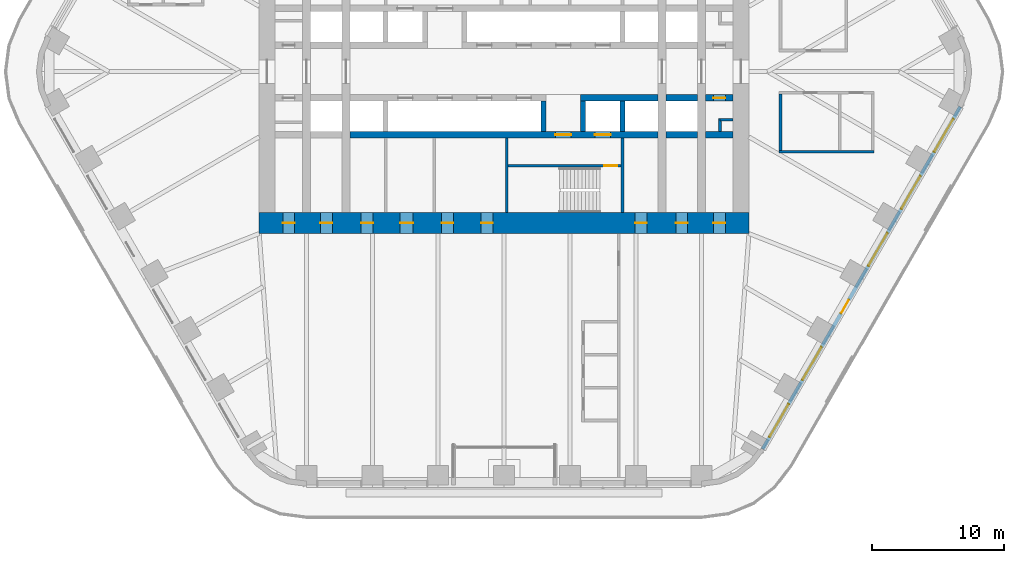
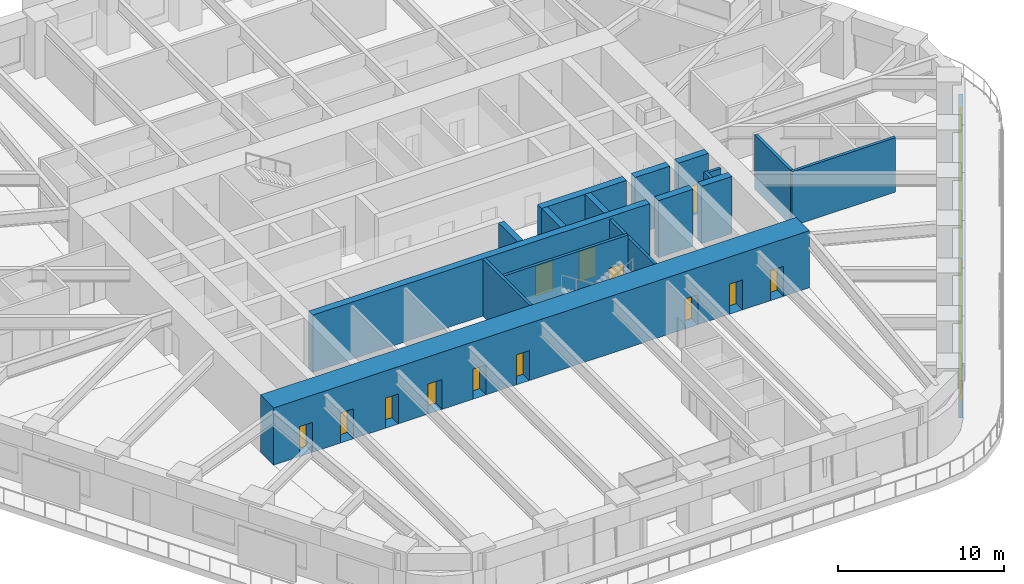
# One storey, part 18 of 24: 18 walls, 14 doors, 5 windows, 19 openings.
"""IFC4 building model written with IfcOpenShell, lengths in metres."""

from ifc_helpers import new_model, si_unit, direction, frame, frame_2d, origin, place, context, subcontext, project, spatial, rectangle, extrude, material, layer, layer_set, type_object, element, fill, save


model = new_model("IFC4")

# Units and contexts
model_context = context("Model", 3, precision=1e-05, world=origin(), true_north=direction((0.0, 1.0)))
body_context = subcontext(model_context, "Body", "Model", "MODEL_VIEW")
ifc_project = project(units=[si_unit("LENGTHUNIT", "METRE"), si_unit("AREAUNIT", "SQUARE_METRE"), si_unit("VOLUMEUNIT", "CUBIC_METRE"), si_unit("PLANEANGLEUNIT", "RADIAN"), si_unit("MASSUNIT", "GRAM", prefix="KILO")], contexts=[model_context])

# Site, building, storey
site_placement = place(None, origin())
site = spatial("IfcSite", under=ifc_project, at=site_placement, CompositionType="ELEMENT")
building_placement = place(site_placement, origin())
building = spatial("IfcBuilding", under=site, at=building_placement, Name="Tarfa Lantern Tower", CompositionType="ELEMENT")
storey_placement = place(building_placement, frame((0.0, 0.0, 144.699951171875)))
storey = spatial("IfcBuildingStorey", under=building, at=storey_placement, Name="L32", CompositionType="ELEMENT", Elevation=144.699951171875)

# Wall, openings, door, windows
ifc_material_1 = material(Name="Limestone cladding on blockwork", Category="masonry")
ifc_layer_1 = layer(ifc_material_1, 0.300048828125)
ifc_layer_set_1 = layer_set([ifc_layer_1], Name="EW1 STONE-CLAD WALL 300")
wall_type_1 = type_object("IfcWallType", Name="EW1 STONE-CLAD WALL 300", PredefinedType="SOLIDWALL", material=ifc_layer_set_1)
wall_1_placement = place(storey_placement, frame((19.644287109375, -28.675048828125, 0.0), z_axis=(0.0, 0.0, 1.0), x_axis=(0.500003084452, 0.866023622968, 0.0)))
wall_1 = element("IfcWall", 1, at=wall_1_placement, inside=storey, type_object=wall_type_1, Name="Stone wall SE", PredefinedType="SOLIDWALL", context=body_context, shape_type="SweptSolid", body=[
    extrude(rectangle(XDim=30.022216796875, YDim=0.300048828125, at=frame_2d((15.01123046875, 0.0))), origin(), (0.0, 0.0, 1.0), 2.75),
])
opening_1_placement = place(wall_1_placement, frame((1.0517578125, 0.0, 0.60009765625)))
opening_1 = element("IfcOpeningElement", 2, at=opening_1_placement, cuts=wall_1, Name="Opening W9", PredefinedType="OPENING", context=body_context, shape_type="SweptSolid", body=[
    extrude(rectangle(XDim=2.89990234375, YDim=1.89990234375, at=frame_2d((1.449951171875, 0.949951171875))), frame((0.0, 0.159912109375, 0.0), z_axis=(0.0, -1.0, 0.0), x_axis=(1.0, 0.0, 0.0)), (0.0, 0.0, 1.0), 0.320068359375),
])
opening_2_placement = place(wall_1_placement, frame((6.0556640625, 0.0, 0.60009765625)))
opening_2 = element("IfcOpeningElement", 3, at=opening_2_placement, cuts=wall_1, Name="Opening W9", PredefinedType="OPENING", context=body_context, shape_type="SweptSolid", body=[
    extrude(rectangle(XDim=2.89990234375, YDim=1.89990234375, at=frame_2d((1.449951171875, 0.949951171875))), frame((0.0, 0.159912109375, 0.0), z_axis=(0.0, -1.0, 0.0), x_axis=(1.0, 0.0, 0.0)), (0.0, 0.0, 1.0), 0.320068359375),
])
opening_3_placement = place(wall_1_placement, frame((11.9091796875, 0.0, 0.0)))
opening_3 = element("IfcOpeningElement", 4, at=opening_3_placement, cuts=wall_1, Name="Opening D50", PredefinedType="OPENING", context=body_context, shape_type="SweptSolid", body=[
    extrude(rectangle(XDim=1.199951171875, YDim=2.39990234375, at=frame_2d((0.60009765625, 1.199951171875))), frame((0.0, 0.159912109375, 0.0), z_axis=(0.0, -1.0, 0.0), x_axis=(1.0, 0.0, 0.0)), (0.0, 0.0, 1.0), 0.320068359375),
])
opening_4_placement = place(wall_1_placement, frame((16.06298828125, 0.0, 0.60009765625)))
opening_4 = element("IfcOpeningElement", 5, at=opening_4_placement, cuts=wall_1, Name="Opening W9", PredefinedType="OPENING", context=body_context, shape_type="SweptSolid", body=[
    extrude(rectangle(XDim=2.89990234375, YDim=1.89990234375, at=frame_2d((1.449951171875, 0.949951171875))), frame((0.0, 0.159912109375, 0.0), z_axis=(0.0, -1.0, 0.0), x_axis=(1.0, 0.0, 0.0)), (0.0, 0.0, 1.0), 0.320068359375),
])
opening_5_placement = place(wall_1_placement, frame((21.066650390625, 0.0, 0.60009765625)))
opening_5 = element("IfcOpeningElement", 6, at=opening_5_placement, cuts=wall_1, Name="Opening W9", PredefinedType="OPENING", context=body_context, shape_type="SweptSolid", body=[
    extrude(rectangle(XDim=2.89990234375, YDim=1.89990234375, at=frame_2d((1.449951171875, 0.949951171875))), frame((0.0, 0.159912109375, 0.0), z_axis=(0.0, -1.0, 0.0), x_axis=(1.0, 0.0, 0.0)), (0.0, 0.0, 1.0), 0.320068359375),
])
opening_6_placement = place(wall_1_placement, frame((26.0703125, 0.0, 0.60009765625)))
opening_6 = element("IfcOpeningElement", 7, at=opening_6_placement, cuts=wall_1, Name="Opening W9", PredefinedType="OPENING", context=body_context, shape_type="SweptSolid", body=[
    extrude(rectangle(XDim=2.89990234375, YDim=1.89990234375, at=frame_2d((1.449951171875, 0.949951171875))), frame((0.0, 0.159912109375, 0.0), z_axis=(0.0, -1.0, 0.0), x_axis=(1.0, 0.0, 0.0)), (0.0, 0.0, 1.0), 0.320068359375),
])
ifc_material_2 = material(Name="Aluminium framed glazed door", Category="aluminium")
door_type_1 = type_object("IfcDoorType", Name="BE3 BALCONY DOOR 1200x2400", OperationType="SINGLE_SWING_RIGHT", PredefinedType="DOOR", material=ifc_material_2)
door_1_placement = place(opening_3_placement, origin())
door_1 = element("IfcDoor", 8, at=door_1_placement, inside=storey, type_object=door_type_1, Name="Balcony door SE", OperationType="SINGLE_SWING_RIGHT", OverallHeight=2.39990234375, OverallWidth=1.199951171875, PredefinedType="DOOR", context=body_context, shape_type="SweptSolid", body=[
    extrude(rectangle(XDim=1.199951171875, YDim=2.39990234375, at=frame_2d((0.60009765625, 1.199951171875))), frame((0.0, 0.02490234375, 0.0), z_axis=(0.0, -1.0, 0.0), x_axis=(1.0, 0.0, 0.0)), (0.0, 0.0, 1.0), 0.050048828125),
])
fill(opening_3, door_1)
ifc_material_3 = material(Name="Aluminium frame, double glazed", Category="aluminium")
window_type = type_object("IfcWindowType", Name="W9 FULL-HEIGHT GLAZING 2900x1900", PartitioningType="SINGLE_PANEL", PredefinedType="WINDOW", material=ifc_material_3)
window_1_placement = place(opening_1_placement, origin())
window_1 = element("IfcWindow", 9, at=window_1_placement, inside=storey, type_object=window_type, Name="Window SE 1", OverallHeight=1.89990234375, OverallWidth=2.89990234375, PartitioningType="SINGLE_PANEL", PredefinedType="WINDOW", context=body_context, shape_type="SweptSolid", body=[
    extrude(rectangle(XDim=2.89990234375, YDim=1.89990234375, at=frame_2d((1.449951171875, 0.949951171875))), frame((0.0, 0.030029296875, 0.0), z_axis=(0.0, -1.0, 0.0), x_axis=(1.0, 0.0, 0.0)), (0.0, 0.0, 1.0), 0.06005859375),
])
fill(opening_1, window_1)
window_2_placement = place(opening_2_placement, origin())
window_2 = element("IfcWindow", 10, at=window_2_placement, inside=storey, type_object=window_type, Name="Window SE 2", OverallHeight=1.89990234375, OverallWidth=2.89990234375, PartitioningType="SINGLE_PANEL", PredefinedType="WINDOW", context=body_context, shape_type="SweptSolid", body=[
    extrude(rectangle(XDim=2.89990234375, YDim=1.89990234375, at=frame_2d((1.449951171875, 0.949951171875))), frame((0.0, 0.030029296875, 0.0), z_axis=(0.0, -1.0, 0.0), x_axis=(1.0, 0.0, 0.0)), (0.0, 0.0, 1.0), 0.06005859375),
])
fill(opening_2, window_2)
window_3_placement = place(opening_4_placement, origin())
window_3 = element("IfcWindow", 11, at=window_3_placement, inside=storey, type_object=window_type, Name="Window SE 4", OverallHeight=1.89990234375, OverallWidth=2.89990234375, PartitioningType="SINGLE_PANEL", PredefinedType="WINDOW", context=body_context, shape_type="SweptSolid", body=[
    extrude(rectangle(XDim=2.89990234375, YDim=1.89990234375, at=frame_2d((1.449951171875, 0.949951171875))), frame((0.0, 0.030029296875, 0.0), z_axis=(0.0, -1.0, 0.0), x_axis=(1.0, 0.0, 0.0)), (0.0, 0.0, 1.0), 0.06005859375),
])
fill(opening_4, window_3)
window_4_placement = place(opening_5_placement, origin())
window_4 = element("IfcWindow", 12, at=window_4_placement, inside=storey, type_object=window_type, Name="Window SE 5", OverallHeight=1.89990234375, OverallWidth=2.89990234375, PartitioningType="SINGLE_PANEL", PredefinedType="WINDOW", context=body_context, shape_type="SweptSolid", body=[
    extrude(rectangle(XDim=2.89990234375, YDim=1.89990234375, at=frame_2d((1.449951171875, 0.949951171875))), frame((0.0, 0.030029296875, 0.0), z_axis=(0.0, -1.0, 0.0), x_axis=(1.0, 0.0, 0.0)), (0.0, 0.0, 1.0), 0.06005859375),
])
fill(opening_5, window_4)
window_5_placement = place(opening_6_placement, origin())
window_5 = element("IfcWindow", 13, at=window_5_placement, inside=storey, type_object=window_type, Name="Window SE 6", OverallHeight=1.89990234375, OverallWidth=2.89990234375, PartitioningType="SINGLE_PANEL", PredefinedType="WINDOW", context=body_context, shape_type="SweptSolid", body=[
    extrude(rectangle(XDim=2.89990234375, YDim=1.89990234375, at=frame_2d((1.449951171875, 0.949951171875))), frame((0.0, 0.030029296875, 0.0), z_axis=(0.0, -1.0, 0.0), x_axis=(1.0, 0.0, 0.0)), (0.0, 0.0, 1.0), 0.06005859375),
])
fill(opening_6, window_5)

# Walls
ifc_material_4 = material(Name="Concrete blockwork", Category="masonry")
ifc_layer_2 = layer(ifc_material_4, 0.199951171875)
ifc_layer_set_2 = layer_set([ifc_layer_2], Name="IW1 BLOCKWORK PARTITION 200 EI 120")
wall_type_2 = type_object("IfcWallType", Name="IW1 BLOCKWORK PARTITION 200 EI 120", PredefinedType="PARTITIONING", material=ifc_layer_set_2)
wall_2_placement = place(storey_placement, frame((9.0, -5.050048828125, 0.0), z_axis=(0.0, 0.0, 1.0), x_axis=(0.0, -1.0, 0.0)))
element("IfcWall", 14, at=wall_2_placement, inside=storey, type_object=wall_type_2, Name="Core partition", PredefinedType="PARTITIONING", context=body_context, shape_type="SweptSolid", body=[
    extrude(rectangle(XDim=5.64990234375, YDim=0.199951171875, at=frame_2d((2.824951171875, 0.0))), origin(), (0.0, 0.0, 1.0), 4.0),
])
for number, where, z_axis, x_axis, name in (
    (15, (17.39990234375, -3.64990234375, 0.0), (0.0, 0.0, 1.0), (-1.0, 0.0, 0.0), "Core partition"),
    (16, (16.39990234375, -3.550048828125, 0.0), (0.0, 0.0, 1.0), (0.0, -1.0, 0.0), "Core partition"),
):
    element("IfcWall", number, at=place(storey_placement, frame(where, z_axis=z_axis, x_axis=x_axis)), inside=storey, type_object=wall_type_2, Name=name, PredefinedType="PARTITIONING", context=body_context, shape_type="SweptSolid", body=[
        extrude(rectangle(XDim=1.0, YDim=0.199951171875, at=frame_2d((0.5, 0.0))), origin(), (0.0, 0.0, 1.0), 4.0),
    ])
ifc_material_5 = material(Name="Gypsum board on steel studs", Category="steel")
ifc_layer_3 = layer(ifc_material_5, 0.2099609375)
ifc_layer_set_3 = layer_set([ifc_layer_3], Name="IW2 ACOUSTIC PARTITION 200")
wall_type_3 = type_object("IfcWallType", Name="IW2 ACOUSTIC PARTITION 200", PredefinedType="PARTITIONING", material=ifc_layer_set_3)
wall_3_placement = place(storey_placement, frame((20.89990234375, -6.10009765625, 0.0), z_axis=(0.0, 0.0, 1.0), x_axis=(1.0, 0.0, 0.0)))
element("IfcWall", 17, at=wall_3_placement, inside=storey, type_object=wall_type_3, Name="Partition", PredefinedType="PARTITIONING", context=body_context, shape_type="SweptSolid", body=[
    extrude(rectangle(XDim=7.2001953125, YDim=0.199951171875, at=frame_2d((3.60009765625, 0.0))), origin(), (0.0, 0.0, 1.0), 4.0),
])
wall_4_placement = place(storey_placement, frame((21.0, -1.699951171875, 0.0), z_axis=(0.0, 0.0, 1.0), x_axis=(0.0, -1.0, 0.0)))
element("IfcWall", 18, at=wall_4_placement, inside=storey, type_object=wall_type_3, Name="Partition", PredefinedType="PARTITIONING", context=body_context, shape_type="SweptSolid", body=[
    extrude(rectangle(XDim=4.300048828125, YDim=0.199951171875, at=frame_2d((2.14990234375, 0.0))), origin(), (0.0, 0.0, 1.0), 4.0),
])
ifc_material_6 = material(Name="Concrete C80/95", Category="concrete")
ifc_layer_4 = layer(ifc_material_6, 0.199951171875)
ifc_layer_set_4 = layer_set([ifc_layer_4], Name="SW12 CORE WALL 200")
wall_type_4 = type_object("IfcWallType", Name="SW12 CORE WALL 200", PredefinedType="SHEAR", material=ifc_layer_set_4)
wall_5_placement = place(storey_placement, frame((0.199951171875, -5.050048828125, 0.0), z_axis=(0.0, 0.0, 1.0), x_axis=(0.0, -1.0, 0.0)))
element("IfcWall", 19, at=wall_5_placement, inside=storey, type_object=wall_type_4, Name="Core wall stair shaft S", PredefinedType="SHEAR", context=body_context, shape_type="SweptSolid", body=[
    extrude(rectangle(XDim=5.64990234375, YDim=0.199951171875, at=frame_2d((2.824951171875, 0.0))), origin(), (0.0, 0.0, 1.0), 4.199951171875),
])

# Wall, opening, door
wall_6_placement = place(storey_placement, frame((8.89990234375, -7.14990234375, 0.0), z_axis=(0.0, 0.0, 1.0), x_axis=(-1.0, 0.0, 0.0)))
wall_6 = element("IfcWall", 20, at=wall_6_placement, inside=storey, type_object=wall_type_4, Name="Core wall stair partition S", PredefinedType="SHEAR", context=body_context, shape_type="SweptSolid", body=[
    extrude(rectangle(XDim=8.599853515625, YDim=0.199951171875, at=frame_2d((4.2998046875, 0.0))), origin(), (0.0, 0.0, 1.0), 4.199951171875),
])
opening_7_placement = place(wall_6_placement, frame((0.300048828125, 0.0, 0.0)))
opening_7 = element("IfcOpeningElement", 21, at=opening_7_placement, cuts=wall_6, Name="Opening D28", PredefinedType="OPENING", context=body_context, shape_type="SweptSolid", body=[
    extrude(rectangle(XDim=1.0, YDim=2.199951171875, at=frame_2d((0.5, 1.10009765625))), frame((0.0, 0.10986328125, 0.0), z_axis=(0.0, -1.0, 0.0), x_axis=(1.0, 0.0, 0.0)), (0.0, 0.0, 1.0), 0.219970703125),
])
ifc_material_7 = material(Name="Steel fire door", Category="steel")
door_type_2 = type_object("IfcDoorType", Name="DF2 STAIR DOOR 1000x2200", OperationType="SINGLE_SWING_LEFT", PredefinedType="DOOR", material=ifc_material_7)
door_2_placement = place(opening_7_placement, origin())
door_2 = element("IfcDoor", 22, at=door_2_placement, inside=storey, type_object=door_type_2, Name="Stair door", OperationType="SINGLE_SWING_RIGHT", OverallHeight=2.199951171875, OverallWidth=1.0, PredefinedType="DOOR", context=body_context, shape_type="SweptSolid", body=[
    extrude(rectangle(XDim=1.0, YDim=2.199951171875, at=frame_2d((0.5, 1.10009765625))), frame((0.0, 0.02490234375, 0.0), z_axis=(0.0, -1.0, 0.0), x_axis=(1.0, 0.0, 0.0)), (0.0, 0.0, 1.0), 0.050048828125),
])
fill(opening_7, door_2)

ifc_layer_5 = layer(ifc_material_6, 0.5)
ifc_layer_set_5 = layer_set([ifc_layer_5], Name="SW5 CORE WALL 500")
wall_type_5 = type_object("IfcWallType", Name="SW5 CORE WALL 500", PredefinedType="SHEAR", material=ifc_layer_set_5)
wall_7_placement = place(storey_placement, frame((17.39990234375, -2.0, 0.0), z_axis=(0.0, 0.0, 1.0), x_axis=(-1.0, 0.0, 0.0)))
wall_7 = element("IfcWall", 23, at=wall_7_placement, inside=storey, type_object=wall_type_5, Name="Core wall lobby west S", PredefinedType="SHEAR", context=body_context, shape_type="SweptSolid", body=[
    extrude(rectangle(XDim=2.099853515625, YDim=0.5, at=frame_2d((1.0498046875, 0.0))), origin(), (0.0, 0.0, 1.0), 4.199951171875),
])
opening_8_placement = place(wall_7_placement, frame((0.60009765625, 0.0, 0.0)))
opening_8 = element("IfcOpeningElement", 24, at=opening_8_placement, cuts=wall_7, Name="Opening D20", PredefinedType="OPENING", context=body_context, shape_type="SweptSolid", body=[
    extrude(rectangle(XDim=0.89990234375, YDim=2.199951171875, at=frame_2d((0.449951171875, 1.10009765625))), frame((0.0, 0.260009765625, 0.0), z_axis=(0.0, -1.0, 0.0), x_axis=(1.0, 0.0, 0.0)), (0.0, 0.0, 1.0), 0.52001953125),
])
door_type_3 = type_object("IfcDoorType", Name="DF6 SERVICE ROOM DOOR 900x2200", OperationType="SINGLE_SWING_LEFT", PredefinedType="DOOR", material=ifc_material_7)
door_3_placement = place(opening_8_placement, origin())
door_3 = element("IfcDoor", 25, at=door_3_placement, inside=storey, type_object=door_type_3, Name="Service room door", OperationType="SINGLE_SWING_LEFT", OverallHeight=2.199951171875, OverallWidth=0.89990234375, PredefinedType="DOOR", context=body_context, shape_type="SweptSolid", body=[
    extrude(rectangle(XDim=0.89990234375, YDim=2.199951171875, at=frame_2d((0.449951171875, 1.10009765625))), frame((0.0, 0.02490234375, 0.0), z_axis=(0.0, -1.0, 0.0), x_axis=(1.0, 0.0, 0.0)), (0.0, 0.0, 1.0), 0.050048828125),
])
fill(opening_8, door_3)

# Walls
wall_8_placement = place(storey_placement, frame((14.699951171875, -2.0, 0.0), z_axis=(0.0, 0.0, 1.0), x_axis=(-1.0, 0.0, 0.0)))
element("IfcWall", 26, at=wall_8_placement, inside=storey, type_object=wall_type_5, Name="Core wall lobby west S", PredefinedType="SHEAR", context=body_context, shape_type="SweptSolid", body=[
    extrude(rectangle(XDim=2.39990234375, YDim=0.5, at=frame_2d((1.199951171875, 0.0))), origin(), (0.0, 0.0, 1.0), 4.199951171875),
])
wall_9_placement = place(storey_placement, frame((11.699951171875, -2.0, 0.0), z_axis=(0.0, 0.0, 1.0), x_axis=(-1.0, 0.0, 0.0)))
element("IfcWall", 27, at=wall_9_placement, inside=storey, type_object=wall_type_5, Name="Core wall lobby west S", PredefinedType="SHEAR", context=body_context, shape_type="SweptSolid", body=[
    extrude(rectangle(XDim=5.89990234375, YDim=0.5, at=frame_2d((2.949951171875, 0.0))), origin(), (0.0, 0.0, 1.0), 4.199951171875),
])
wall_10_placement = place(storey_placement, frame((17.39990234375, -4.800048828125, 0.0), z_axis=(0.0, 0.0, 1.0), x_axis=(-1.0, 0.0, 0.0)))
element("IfcWall", 28, at=wall_10_placement, inside=storey, type_object=wall_type_5, Name="Core wall rear S", PredefinedType="SHEAR", context=body_context, shape_type="SweptSolid", body=[
    extrude(rectangle(XDim=2.099853515625, YDim=0.5, at=frame_2d((1.0498046875, 0.0))), origin(), (0.0, 0.0, 1.0), 4.199951171875),
])
wall_11_placement = place(storey_placement, frame((14.699951171875, -4.800048828125, 0.0), z_axis=(0.0, 0.0, 1.0), x_axis=(-1.0, 0.0, 0.0)))
element("IfcWall", 29, at=wall_11_placement, inside=storey, type_object=wall_type_5, Name="Core wall rear S", PredefinedType="SHEAR", context=body_context, shape_type="SweptSolid", body=[
    extrude(rectangle(XDim=2.39990234375, YDim=0.5, at=frame_2d((1.199951171875, 0.0))), origin(), (0.0, 0.0, 1.0), 4.199951171875),
])

# Wall, openings, doors
wall_12_placement = place(storey_placement, frame((11.699951171875, -4.800048828125, 0.0), z_axis=(0.0, 0.0, 1.0), x_axis=(-1.0, 0.0, 0.0)))
wall_12 = element("IfcWall", 30, at=wall_12_placement, inside=storey, type_object=wall_type_5, Name="Core wall rear S", PredefinedType="SHEAR", context=body_context, shape_type="SweptSolid", body=[
    extrude(rectangle(XDim=23.39990234375, YDim=0.5, at=frame_2d((11.699951171875, 0.0))), origin(), (0.0, 0.0, 1.0), 4.199951171875),
])
opening_9_placement = place(wall_12_placement, frame((6.60009765625, 0.0, 0.0)))
opening_9 = element("IfcOpeningElement", 31, at=opening_9_placement, cuts=wall_12, Name="Opening D14", PredefinedType="OPENING", context=body_context, shape_type="SweptSolid", body=[
    extrude(rectangle(XDim=1.199951171875, YDim=2.199951171875, at=frame_2d((0.60009765625, 1.10009765625))), frame((0.0, 0.260009765625, 0.0), z_axis=(0.0, -1.0, 0.0), x_axis=(1.0, 0.0, 0.0)), (0.0, 0.0, 1.0), 0.52001953125),
])
opening_10_placement = place(wall_12_placement, frame((3.60009765625, 0.0, 0.0)))
opening_10 = element("IfcOpeningElement", 32, at=opening_10_placement, cuts=wall_12, Name="Opening LD02", PredefinedType="OPENING", context=body_context, shape_type="SweptSolid", body=[
    extrude(rectangle(XDim=1.199951171875, YDim=2.199951171875, at=frame_2d((0.60009765625, 1.10009765625))), frame((0.0, 0.260009765625, 0.0), z_axis=(0.0, -1.0, 0.0), x_axis=(1.0, 0.0, 0.0)), (0.0, 0.0, 1.0), 0.52001953125),
])
door_type_4 = type_object("IfcDoorType", Name="DF1 FIREFIGHTING LOBBY DOOR 1200x2200", OperationType="SINGLE_SWING_LEFT", PredefinedType="DOOR", material=ifc_material_7)
door_4_placement = place(opening_9_placement, origin())
door_4 = element("IfcDoor", 33, at=door_4_placement, inside=storey, type_object=door_type_4, Name="Firefighting lobby door", OperationType="SINGLE_SWING_LEFT", OverallHeight=2.199951171875, OverallWidth=1.199951171875, PredefinedType="DOOR", context=body_context, shape_type="SweptSolid", body=[
    extrude(rectangle(XDim=1.199951171875, YDim=2.199951171875, at=frame_2d((0.60009765625, 1.10009765625))), frame((0.0, 0.02490234375, 0.0), z_axis=(0.0, -1.0, 0.0), x_axis=(1.0, 0.0, 0.0)), (0.0, 0.0, 1.0), 0.050048828125),
])
fill(opening_9, door_4)
ifc_material_8 = material(Name="Stainless steel lift door", Category="steel")
door_type_5 = type_object("IfcDoorType", Name="LD1 LIFT LANDING DOOR 1200x2200", OperationType="SLIDING_TO_LEFT", PredefinedType="DOOR", material=ifc_material_8)
door_5_placement = place(opening_10_placement, origin())
door_5 = element("IfcDoor", 34, at=door_5_placement, inside=storey, type_object=door_type_5, Name="Landing door FL2", OperationType="SLIDING_TO_LEFT", OverallHeight=2.199951171875, OverallWidth=1.199951171875, PredefinedType="DOOR", context=body_context, shape_type="SweptSolid", body=[
    extrude(rectangle(XDim=1.199951171875, YDim=2.199951171875, at=frame_2d((0.60009765625, 1.10009765625))), frame((0.0, 0.02490234375, 0.0), z_axis=(0.0, -1.0, 0.0), x_axis=(1.0, 0.0, 0.0)), (0.0, 0.0, 1.0), 0.050048828125),
])
fill(opening_10, door_5)

# Walls
ifc_layer_6 = layer(ifc_material_6, 0.39990234375)
ifc_layer_set_6 = layer_set([ifc_layer_6], Name="SW6 CORE WALL 400")
wall_type_6 = type_object("IfcWallType", Name="SW6 CORE WALL 400", PredefinedType="SHEAR", material=ifc_layer_set_6)
for number, where, z_axis, x_axis, name in (
    (35, (9.0, -2.25, 0.0), (0.0, 0.0, 1.0), (0.0, -1.0, 0.0), "Core wall divider S"),
    (36, (6.0, -2.25, 0.0), (0.0, 0.0, 1.0), (0.0, -1.0, 0.0), "Core wall divider S"),
    (37, (3.0, -2.25, 0.0), (0.0, 0.0, 1.0), (0.0, -1.0, 0.0), "Core wall divider S"),
):
    element("IfcWall", number, at=place(storey_placement, frame(where, z_axis=z_axis, x_axis=x_axis)), inside=storey, type_object=wall_type_6, Name=name, PredefinedType="SHEAR", context=body_context, shape_type="SweptSolid", body=[
        extrude(rectangle(XDim=2.300048828125, YDim=0.39990234375, at=frame_2d((1.14990234375, 0.0))), origin(), (0.0, 0.0, 1.0), 4.199951171875),
    ])

# Wall, openings, doors
ifc_layer_7 = layer(ifc_material_6, 1.60009765625)
ifc_layer_set_7 = layer_set([ifc_layer_7], Name="SW7 CORE WALL 1600")
wall_type_7 = type_object("IfcWallType", Name="SW7 CORE WALL 1600", PredefinedType="SHEAR", material=ifc_layer_set_7)
wall_13_placement = place(storey_placement, frame((18.60009765625, -11.5, 0.0), z_axis=(0.0, 0.0, 1.0), x_axis=(-1.0, 0.0, 0.0)))
wall_13 = element("IfcWall", 38, at=wall_13_placement, inside=storey, type_object=wall_type_7, Name="Core wall S", PredefinedType="SHEAR", context=body_context, shape_type="SweptSolid", body=[
    extrude(rectangle(XDim=37.2001953125, YDim=1.60009765625, at=frame_2d((18.60009765625, 0.0))), origin(), (0.0, 0.0, 1.0), 4.199951171875),
])
opening_11_placement = place(wall_13_placement, frame((19.449951171875, 0.0, 0.0)))
opening_11 = element("IfcOpeningElement", 39, at=opening_11_placement, cuts=wall_13, Name="Opening D22", PredefinedType="OPENING", context=body_context, shape_type="SweptSolid", body=[
    extrude(rectangle(XDim=0.89990234375, YDim=2.199951171875, at=frame_2d((0.449951171875, 1.10009765625))), frame((0.0, 0.81005859375, 0.0), z_axis=(0.0, -1.0, 0.0), x_axis=(1.0, 0.0, 0.0)), (0.0, 0.0, 1.0), 1.6201171875),
])
opening_12_placement = place(wall_13_placement, frame((22.449951171875, 0.0, 0.0)))
opening_12 = element("IfcOpeningElement", 40, at=opening_12_placement, cuts=wall_13, Name="Opening D24", PredefinedType="OPENING", context=body_context, shape_type="SweptSolid", body=[
    extrude(rectangle(XDim=0.89990234375, YDim=2.199951171875, at=frame_2d((0.449951171875, 1.10009765625))), frame((0.0, 0.81005859375, 0.0), z_axis=(0.0, -1.0, 0.0), x_axis=(1.0, 0.0, 0.0)), (0.0, 0.0, 1.0), 1.6201171875),
])
opening_13_placement = place(wall_13_placement, frame((25.5, 0.0, 0.0)))
opening_13 = element("IfcOpeningElement", 41, at=opening_13_placement, cuts=wall_13, Name="Opening D26", PredefinedType="OPENING", context=body_context, shape_type="SweptSolid", body=[
    extrude(rectangle(XDim=1.0, YDim=2.199951171875, at=frame_2d((0.5, 1.10009765625))), frame((0.0, 0.81005859375, 0.0), z_axis=(0.0, -1.0, 0.0), x_axis=(1.0, 0.0, 0.0)), (0.0, 0.0, 1.0), 1.6201171875),
])
opening_14_placement = place(wall_13_placement, frame((1.800048828125, 0.0, 0.0)))
opening_14 = element("IfcOpeningElement", 42, at=opening_14_placement, cuts=wall_13, Name="Opening D12", PredefinedType="OPENING", context=body_context, shape_type="SweptSolid", body=[
    extrude(rectangle(XDim=0.89990234375, YDim=2.199951171875, at=frame_2d((0.449951171875, 1.10009765625))), frame((0.0, 0.81005859375, 0.0), z_axis=(0.0, -1.0, 0.0), x_axis=(1.0, 0.0, 0.0)), (0.0, 0.0, 1.0), 1.6201171875),
])
opening_15_placement = place(wall_13_placement, frame((4.64990234375, 0.0, 0.0)))
opening_15 = element("IfcOpeningElement", 43, at=opening_15_placement, cuts=wall_13, Name="Opening D08", PredefinedType="OPENING", context=body_context, shape_type="SweptSolid", body=[
    extrude(rectangle(XDim=0.89990234375, YDim=2.199951171875, at=frame_2d((0.449951171875, 1.10009765625))), frame((0.0, 0.81005859375, 0.0), z_axis=(0.0, -1.0, 0.0), x_axis=(1.0, 0.0, 0.0)), (0.0, 0.0, 1.0), 1.6201171875),
])
opening_16_placement = place(wall_13_placement, frame((7.75, 0.0, 0.0)))
opening_16 = element("IfcOpeningElement", 44, at=opening_16_placement, cuts=wall_13, Name="Opening D10", PredefinedType="OPENING", context=body_context, shape_type="SweptSolid", body=[
    extrude(rectangle(XDim=0.89990234375, YDim=2.199951171875, at=frame_2d((0.449951171875, 1.10009765625))), frame((0.0, 0.81005859375, 0.0), z_axis=(0.0, -1.0, 0.0), x_axis=(1.0, 0.0, 0.0)), (0.0, 0.0, 1.0), 1.6201171875),
])
opening_17_placement = place(wall_13_placement, frame((28.550048828125, 0.0, 0.0)))
opening_17 = element("IfcOpeningElement", 45, at=opening_17_placement, cuts=wall_13, Name="Opening D06", PredefinedType="OPENING", context=body_context, shape_type="SweptSolid", body=[
    extrude(rectangle(XDim=0.89990234375, YDim=2.199951171875, at=frame_2d((0.449951171875, 1.10009765625))), frame((0.0, 0.81005859375, 0.0), z_axis=(0.0, -1.0, 0.0), x_axis=(1.0, 0.0, 0.0)), (0.0, 0.0, 1.0), 1.6201171875),
])
opening_18_placement = place(wall_13_placement, frame((31.64990234375, 0.0, 0.0)))
opening_18 = element("IfcOpeningElement", 46, at=opening_18_placement, cuts=wall_13, Name="Opening D02", PredefinedType="OPENING", context=body_context, shape_type="SweptSolid", body=[
    extrude(rectangle(XDim=0.89990234375, YDim=2.199951171875, at=frame_2d((0.449951171875, 1.10009765625))), frame((0.0, 0.81005859375, 0.0), z_axis=(0.0, -1.0, 0.0), x_axis=(1.0, 0.0, 0.0)), (0.0, 0.0, 1.0), 1.6201171875),
])
opening_19_placement = place(wall_13_placement, frame((34.5, 0.0, 0.0)))
opening_19 = element("IfcOpeningElement", 47, at=opening_19_placement, cuts=wall_13, Name="Opening D04", PredefinedType="OPENING", context=body_context, shape_type="SweptSolid", body=[
    extrude(rectangle(XDim=0.89990234375, YDim=2.199951171875, at=frame_2d((0.449951171875, 1.10009765625))), frame((0.0, 0.81005859375, 0.0), z_axis=(0.0, -1.0, 0.0), x_axis=(1.0, 0.0, 0.0)), (0.0, 0.0, 1.0), 1.6201171875),
])
door_type_6 = type_object("IfcDoorType", Name="DF3 CORE ROOM DOOR 900x2200", OperationType="SINGLE_SWING_LEFT", PredefinedType="DOOR", material=ifc_material_7)
door_6_placement = place(opening_11_placement, frame((0.89990234375, 0.0, 0.0), z_axis=(0.0, 0.0, 1.0), x_axis=(-1.0, 0.0, 0.0)))
door_6 = element("IfcDoor", 48, at=door_6_placement, inside=storey, type_object=door_type_6, Name="Core door", OperationType="SINGLE_SWING_LEFT", OverallHeight=2.199951171875, OverallWidth=0.89990234375, PredefinedType="DOOR", context=body_context, shape_type="SweptSolid", body=[
    extrude(rectangle(XDim=0.89990234375, YDim=2.199951171875, at=frame_2d((0.449951171875, 1.10009765625))), frame((0.0, 0.02490234375, 0.0), z_axis=(0.0, -1.0, 0.0), x_axis=(1.0, 0.0, 0.0)), (0.0, 0.0, 1.0), 0.050048828125),
])
fill(opening_11, door_6)
door_7_placement = place(opening_12_placement, frame((0.89990234375, 0.0, 0.0), z_axis=(0.0, 0.0, 1.0), x_axis=(-1.0, 0.0, 0.0)))
door_7 = element("IfcDoor", 49, at=door_7_placement, inside=storey, type_object=door_type_6, Name="Core door", OperationType="SINGLE_SWING_RIGHT", OverallHeight=2.199951171875, OverallWidth=0.89990234375, PredefinedType="DOOR", context=body_context, shape_type="SweptSolid", body=[
    extrude(rectangle(XDim=0.89990234375, YDim=2.199951171875, at=frame_2d((0.449951171875, 1.10009765625))), frame((0.0, 0.02490234375, 0.0), z_axis=(0.0, -1.0, 0.0), x_axis=(1.0, 0.0, 0.0)), (0.0, 0.0, 1.0), 0.050048828125),
])
fill(opening_12, door_7)
door_type_7 = type_object("IfcDoorType", Name="DF4 CORE ROOM DOOR 1000x2200", OperationType="SINGLE_SWING_LEFT", PredefinedType="DOOR", material=ifc_material_7)
door_8_placement = place(opening_13_placement, frame((1.0, 0.0, 0.0), z_axis=(0.0, 0.0, 1.0), x_axis=(-1.0, 0.0, 0.0)))
door_8 = element("IfcDoor", 50, at=door_8_placement, inside=storey, type_object=door_type_7, Name="Core door", OperationType="SINGLE_SWING_RIGHT", OverallHeight=2.199951171875, OverallWidth=1.0, PredefinedType="DOOR", context=body_context, shape_type="SweptSolid", body=[
    extrude(rectangle(XDim=1.0, YDim=2.199951171875, at=frame_2d((0.5, 1.10009765625))), frame((0.0, 0.02490234375, 0.0), z_axis=(0.0, -1.0, 0.0), x_axis=(1.0, 0.0, 0.0)), (0.0, 0.0, 1.0), 0.050048828125),
])
fill(opening_13, door_8)
door_type_8 = type_object("IfcDoorType", Name="DF5 RISER DOOR 900x2200", OperationType="SINGLE_SWING_LEFT", PredefinedType="DOOR", material=ifc_material_7)
door_9_placement = place(opening_14_placement, frame((0.89990234375, 0.0, 0.0), z_axis=(0.0, 0.0, 1.0), x_axis=(-1.0, 0.0, 0.0)))
door_9 = element("IfcDoor", 51, at=door_9_placement, inside=storey, type_object=door_type_8, Name="Riser door", OperationType="SINGLE_SWING_LEFT", OverallHeight=2.199951171875, OverallWidth=0.89990234375, PredefinedType="DOOR", context=body_context, shape_type="SweptSolid", body=[
    extrude(rectangle(XDim=0.89990234375, YDim=2.199951171875, at=frame_2d((0.449951171875, 1.10009765625))), frame((0.0, 0.02490234375, 0.0), z_axis=(0.0, -1.0, 0.0), x_axis=(1.0, 0.0, 0.0)), (0.0, 0.0, 1.0), 0.050048828125),
])
fill(opening_14, door_9)
door_10_placement = place(opening_15_placement, frame((0.89990234375, 0.0, 0.0), z_axis=(0.0, 0.0, 1.0), x_axis=(-1.0, 0.0, 0.0)))
door_10 = element("IfcDoor", 52, at=door_10_placement, inside=storey, type_object=door_type_8, Name="Riser door", OperationType="SINGLE_SWING_LEFT", OverallHeight=2.199951171875, OverallWidth=0.89990234375, PredefinedType="DOOR", context=body_context, shape_type="SweptSolid", body=[
    extrude(rectangle(XDim=0.89990234375, YDim=2.199951171875, at=frame_2d((0.449951171875, 1.10009765625))), frame((0.0, 0.02490234375, 0.0), z_axis=(0.0, -1.0, 0.0), x_axis=(1.0, 0.0, 0.0)), (0.0, 0.0, 1.0), 0.050048828125),
])
fill(opening_15, door_10)
door_11_placement = place(opening_16_placement, frame((0.89990234375, 0.0, 0.0), z_axis=(0.0, 0.0, 1.0), x_axis=(-1.0, 0.0, 0.0)))
door_11 = element("IfcDoor", 53, at=door_11_placement, inside=storey, type_object=door_type_8, Name="Riser door", OperationType="SINGLE_SWING_LEFT", OverallHeight=2.199951171875, OverallWidth=0.89990234375, PredefinedType="DOOR", context=body_context, shape_type="SweptSolid", body=[
    extrude(rectangle(XDim=0.89990234375, YDim=2.199951171875, at=frame_2d((0.449951171875, 1.10009765625))), frame((0.0, 0.02490234375, 0.0), z_axis=(0.0, -1.0, 0.0), x_axis=(1.0, 0.0, 0.0)), (0.0, 0.0, 1.0), 0.050048828125),
])
fill(opening_16, door_11)
door_12_placement = place(opening_17_placement, frame((0.89990234375, 0.0, 0.0), z_axis=(0.0, 0.0, 1.0), x_axis=(-1.0, 0.0, 0.0)))
door_12 = element("IfcDoor", 54, at=door_12_placement, inside=storey, type_object=door_type_8, Name="Riser door", OperationType="SINGLE_SWING_RIGHT", OverallHeight=2.199951171875, OverallWidth=0.89990234375, PredefinedType="DOOR", context=body_context, shape_type="SweptSolid", body=[
    extrude(rectangle(XDim=0.89990234375, YDim=2.199951171875, at=frame_2d((0.449951171875, 1.10009765625))), frame((0.0, 0.02490234375, 0.0), z_axis=(0.0, -1.0, 0.0), x_axis=(1.0, 0.0, 0.0)), (0.0, 0.0, 1.0), 0.050048828125),
])
fill(opening_17, door_12)
door_13_placement = place(opening_18_placement, frame((0.89990234375, 0.0, 0.0), z_axis=(0.0, 0.0, 1.0), x_axis=(-1.0, 0.0, 0.0)))
door_13 = element("IfcDoor", 55, at=door_13_placement, inside=storey, type_object=door_type_8, Name="Riser door", OperationType="SINGLE_SWING_RIGHT", OverallHeight=2.199951171875, OverallWidth=0.89990234375, PredefinedType="DOOR", context=body_context, shape_type="SweptSolid", body=[
    extrude(rectangle(XDim=0.89990234375, YDim=2.199951171875, at=frame_2d((0.449951171875, 1.10009765625))), frame((0.0, 0.02490234375, 0.0), z_axis=(0.0, -1.0, 0.0), x_axis=(1.0, 0.0, 0.0)), (0.0, 0.0, 1.0), 0.050048828125),
])
fill(opening_18, door_13)
door_14_placement = place(opening_19_placement, frame((0.89990234375, 0.0, 0.0), z_axis=(0.0, 0.0, 1.0), x_axis=(-1.0, 0.0, 0.0)))
door_14 = element("IfcDoor", 56, at=door_14_placement, inside=storey, type_object=door_type_8, Name="Riser door", OperationType="SINGLE_SWING_RIGHT", OverallHeight=2.199951171875, OverallWidth=0.89990234375, PredefinedType="DOOR", context=body_context, shape_type="SweptSolid", body=[
    extrude(rectangle(XDim=0.89990234375, YDim=2.199951171875, at=frame_2d((0.449951171875, 1.10009765625))), frame((0.0, 0.02490234375, 0.0), z_axis=(0.0, -1.0, 0.0), x_axis=(1.0, 0.0, 0.0)), (0.0, 0.0, 1.0), 0.050048828125),
])
fill(opening_19, door_14)

save(model, "model.ifc")
